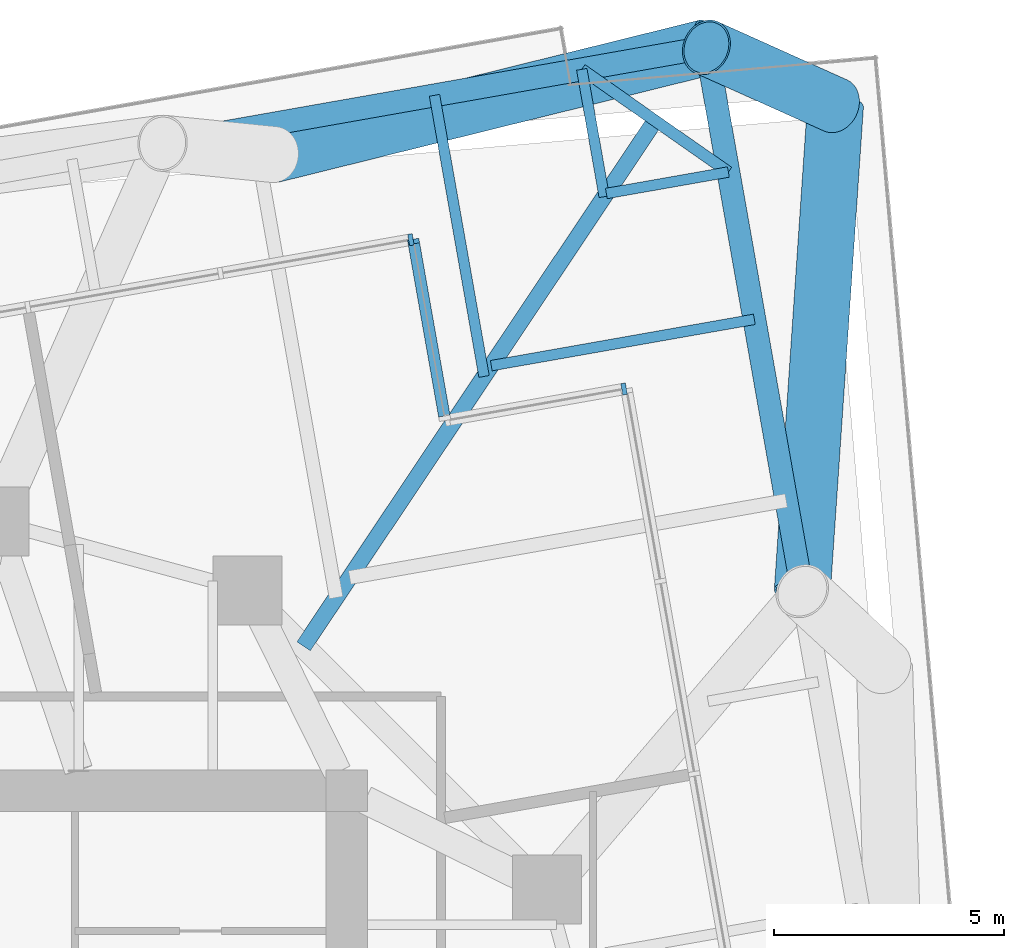
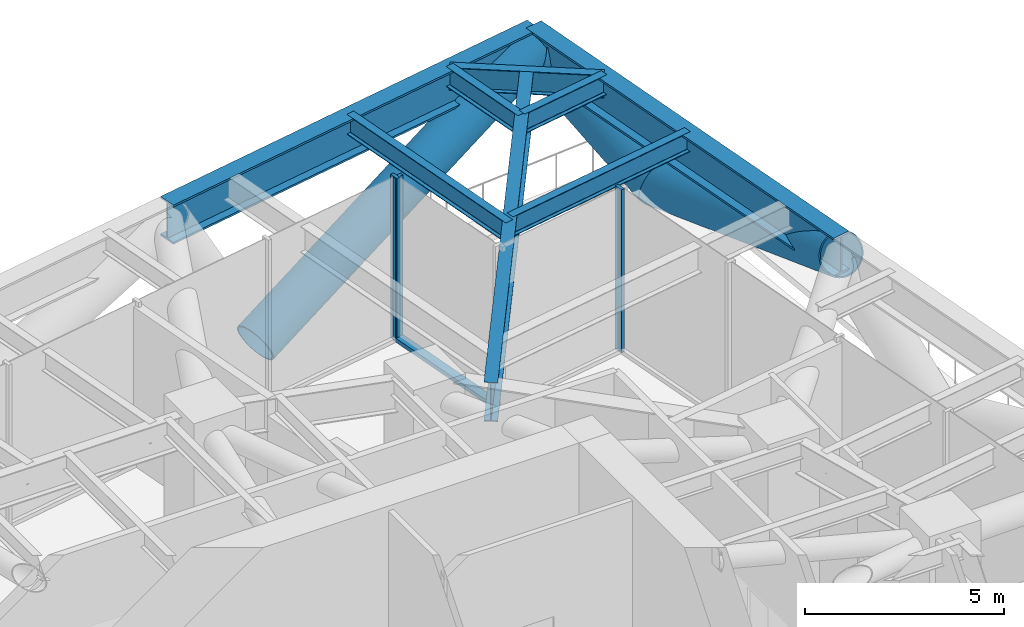
# One storey, part 7 of 15: 8 beams, 7 members, 3 elements without a shape of their own.
"""IFC4 building model written with IfcOpenShell, lengths in metres."""

import ifcopenshell
import ifcopenshell.guid

model = None  # the IFC model being written
_history = None  # IfcOwnerHistory: only IFC2X3 demands one
_inside = {}  # id of a spatial element -> (the spatial element, [elements in it])
_under = {}  # id of a project, library or spatial element -> (it, [spatial elements below it])
_declared = {}  # id of a project -> (the project, [libraries it declares])
_typed = {}  # id of a type object -> (the type object, [elements of that type])
_made_of = {}  # id of a material, layer set ... -> (it, [elements and type objects made of it])


def new_model(schema):
    """Start an empty IFC model of exactly this schema.

    Asked for "IFC4X3", IfcOpenShell would pick the latest addendum, in which some entities
    have other attributes; the version numbers below select the first issue.
    IFC2X3 requires an IfcOwnerHistory on every rooted entity: one is made here for all.
    """
    global model, _history
    if schema == "IFC4X3":
        model = ifcopenshell.file(schema_version=(4, 3, 0, 0))
    else:
        model = ifcopenshell.file(schema=schema)
    _inside.clear()
    _under.clear()
    _declared.clear()
    _typed.clear()
    _made_of.clear()
    _history = None
    if model.schema == "IFC2X3":
        org = make("IfcOrganization", Name="unknown")
        user = make(
            "IfcPersonAndOrganization",
            ThePerson=make("IfcPerson", FamilyName="unknown"),
            TheOrganization=org,
        )
        app = make(
            "IfcApplication",
            ApplicationDeveloper=org,
            Version="unknown",
            ApplicationFullName="unknown",
            ApplicationIdentifier="unknown",
        )
        _history = make(
            "IfcOwnerHistory",
            OwningUser=user,
            OwningApplication=app,
            ChangeAction="ADDED",
            CreationDate=0,
        )
    return model


def make(cls, **values):
    """One entity of the class cls with the attributes given. An attribute that is None is left unset."""
    return model.create_entity(
        cls, **{name: value for name, value in values.items() if value is not None}
    )


def rooted(cls, **values):
    """An entity with a GlobalId (a new one), such as an element, a storey or a relation."""
    return make(cls, GlobalId=ifcopenshell.guid.new(), OwnerHistory=_history, **values)


def si_unit(unit_type, name, prefix=None):
    """IfcSIUnit, for example si_unit("LENGTHUNIT", "METRE", prefix="MILLI")."""
    return make("IfcSIUnit", UnitType=unit_type, Prefix=prefix, Name=name)


def assignment(units):
    """IfcUnitAssignment: the units of a project."""
    return None if units is None else make("IfcUnitAssignment", Units=units)


def point(xyz):
    """IfcCartesianPoint."""
    return None if xyz is None else make("IfcCartesianPoint", Coordinates=xyz)


def direction(xyz):
    """IfcDirection."""
    return None if xyz is None else make("IfcDirection", DirectionRatios=xyz)


def frame(location, z_axis=None, x_axis=None):
    """IfcAxis2Placement3D, a coordinate frame: its origin and axes. An axis left out is left unset."""
    return make(
        "IfcAxis2Placement3D",
        Location=point(location),
        Axis=direction(z_axis),
        RefDirection=direction(x_axis),
    )


def frame_2d(location, x_axis=None):
    """IfcAxis2Placement2D, a coordinate frame in the plane: its origin and x axis."""
    return make(
        "IfcAxis2Placement2D", Location=point(location), RefDirection=direction(x_axis)
    )


def origin():
    """The frame at (0, 0, 0) with its axes left unset."""
    return frame((0.0, 0.0, 0.0))


def origin_2d():
    """The frame at (0, 0) in the plane with its x axis left unset."""
    return frame_2d((0.0, 0.0))


def place(relative_to, where):
    """IfcLocalPlacement: puts the frame where relative to a parent placement (None: the world)."""
    return make(
        "IfcLocalPlacement", PlacementRelTo=relative_to, RelativePlacement=where
    )


def context(
    kind, dimensions, precision=None, world=None, true_north=None, identifier=None
):
    """IfcGeometricRepresentationContext, for example the 3D "Model" context."""
    return make(
        "IfcGeometricRepresentationContext",
        ContextIdentifier=identifier,
        ContextType=kind,
        CoordinateSpaceDimension=dimensions,
        Precision=precision,
        WorldCoordinateSystem=world,
        TrueNorth=true_north,
    )


def subcontext(parent, identifier, kind, view, scale=None):
    """IfcGeometricRepresentationSubContext, for example "Body" below "Model"."""
    return make(
        "IfcGeometricRepresentationSubContext",
        ContextIdentifier=identifier,
        ContextType=kind,
        ParentContext=parent,
        TargetScale=scale,
        TargetView=view,
    )


def project(units=None, contexts=None):
    """IfcProject with its units and contexts."""
    return rooted(
        "IfcProject",
        Name="project",
        RepresentationContexts=contexts,
        UnitsInContext=assignment(units),
    )


def spatial(cls, under=None, at=None, **own):
    """A site, building, storey or space (cls), placed at a placement, below another one or the project."""
    s = rooted(cls, ObjectPlacement=at, **own)
    if under is not None:
        _under.setdefault(under.id(), (under, []))[1].append(s)
    return s


def profile(cls, at=None, kind="AREA", **sizes):
    """A parametric profile (cls). Its sizes go by their IFC names, for example OverallWidth=200.0."""
    return make(cls, ProfileType=kind, Position=at, **sizes)


def rectangle(**sizes):
    """IfcRectangleProfileDef."""
    return profile("IfcRectangleProfileDef", **sizes)


def hollow_circle(**sizes):
    """IfcCircleHollowProfileDef."""
    return profile("IfcCircleHollowProfileDef", **sizes)


def i_section(**sizes):
    """IfcIShapeProfileDef."""
    return profile("IfcIShapeProfileDef", **sizes)


def extrude(swept, where, along, depth):
    """IfcExtrudedAreaSolid: the profile swept, set in the frame where, extruded along a direction by depth."""
    return make(
        "IfcExtrudedAreaSolid",
        SweptArea=swept,
        Position=where,
        ExtrudedDirection=direction(along),
        Depth=depth,
    )


def shape(context_of_items, identifier, shape_type, items):
    """IfcShapeRepresentation: the items that make up one representation, for example the "Body"."""
    return make(
        "IfcShapeRepresentation",
        ContextOfItems=context_of_items,
        RepresentationIdentifier=identifier,
        RepresentationType=shape_type,
        Items=items,
    )


def material(Name=None, Category=None):
    """IfcMaterial."""
    return make("IfcMaterial", Name=Name, Category=Category)


def material_profile(
    of_material, cross_section, Name=None, Category=None, Priority=None
):
    """IfcMaterialProfile: a cross section and its material."""
    return make(
        "IfcMaterialProfile",
        Name=Name,
        Material=of_material,
        Profile=cross_section,
        Priority=Priority,
        Category=Category,
    )


def profile_set(profiles, Name=None, composite=None):
    """IfcMaterialProfileSet."""
    return make(
        "IfcMaterialProfileSet",
        Name=Name,
        MaterialProfiles=profiles,
        CompositeProfile=composite,
    )


def made_of(thing, what):
    """Note that an element or type object is made of a material, layer set ...; save() writes the relation."""
    if what is not None:
        _made_of.setdefault(what.id(), (what, []))[1].append(thing)
    return thing


def type_object(cls, material=None, **own):
    """A type object (cls), such as IfcWallType, which elements share."""
    return made_of(rooted(cls, **own), material)


def element(
    cls,
    number,
    at=None,
    inside=None,
    cuts=None,
    type_object=None,
    material=None,
    context=None,
    identifier="Body",
    shape_type=None,
    held_by="IfcProductDefinitionShape",
    body=None,
    shapes=None,
    **own,
):
    """One element of the class cls, such as IfcWall. Its Tag is "e" and its number.

    at: its placement. inside: the storey or other place that contains it. cuts: it is an
    opening in that element (IfcRelVoidsElement). A single representation is given by context,
    identifier, shape_type and body (its items); several are given by shapes. held_by: the class
    of the entity that holds the representations. save() writes the other relations.
    """
    e = rooted(cls, Tag="e%d" % number, ObjectPlacement=at, **own)
    if body is not None:
        shapes = [shape(context, identifier, shape_type, body)]
    if shapes is not None:
        e.Representation = make(held_by, Representations=shapes)
    if inside is not None:
        _inside.setdefault(inside.id(), (inside, []))[1].append(e)
    if cuts is not None:
        rooted(
            "IfcRelVoidsElement", RelatingBuildingElement=cuts, RelatedOpeningElement=e
        )
    if type_object is not None:
        _typed.setdefault(type_object.id(), (type_object, []))[1].append(e)
    return made_of(e, material)


def aggregate(whole, parts):
    """IfcRelAggregates: a whole, such as a stair, and the parts it consists of."""
    return rooted("IfcRelAggregates", RelatingObject=whole, RelatedObjects=parts)


def save(model, path):
    """Write the relations noted so far, then the file.

    IfcRelAggregates (storeys below a building ...), IfcRelContainedInSpatialStructure (elements
    in a storey), IfcRelDefinesByType, IfcRelAssociatesMaterial and IfcRelDeclares: one each for
    every whole, place, type object, material and project.
    """
    for whole, parts in _under.values():
        aggregate(whole, parts)
    for where, things in _inside.values():
        rooted(
            "IfcRelContainedInSpatialStructure",
            RelatedElements=things,
            RelatingStructure=where,
        )
    for kind, things in _typed.values():
        rooted("IfcRelDefinesByType", RelatedObjects=things, RelatingType=kind)
    for what, things in _made_of.values():
        rooted("IfcRelAssociatesMaterial", RelatedObjects=things, RelatingMaterial=what)
    for by, libraries in _declared.values():
        rooted("IfcRelDeclares", RelatingContext=by, RelatedDefinitions=libraries)
    model.write(path)


model = new_model("IFC4")

# Units and contexts
model_context = context("Model", 3, precision=1e-05, world=origin(), true_north=direction((0.0, 1.0)))
body_context = subcontext(model_context, "Body", "Model", "MODEL_VIEW")
ifc_project = project(units=[si_unit("LENGTHUNIT", "METRE"), si_unit("AREAUNIT", "SQUARE_METRE"), si_unit("VOLUMEUNIT", "CUBIC_METRE"), si_unit("PLANEANGLEUNIT", "RADIAN"), si_unit("MASSUNIT", "GRAM", prefix="KILO")], contexts=[model_context])

# Site, building, storey
site_placement = place(None, origin())
site = spatial("IfcSite", under=ifc_project, at=site_placement, CompositionType="ELEMENT")
building_placement = place(site_placement, origin())
building = spatial("IfcBuilding", under=site, at=building_placement, Name="Torsade Residences", CompositionType="ELEMENT")
storey_placement = place(building_placement, frame((0.0, 0.0, 74.39990234375)))
storey = spatial("IfcBuildingStorey", under=building, at=storey_placement, Name="L20", CompositionType="ELEMENT", Elevation=74.39990234375)

# Beams
ifc_material_1 = material(Name="Steel grade 300", Category="steel")
ifc_material_profile_1 = material_profile(ifc_material_1, i_section(OverallWidth=0.35009765625, OverallDepth=1.199951171875, WebThickness=0.01611328125, FlangeThickness=0.028076171875, at=origin_2d()), Name="1200WB278")
ifc_profile_set_1 = profile_set([ifc_material_profile_1], Name="Steel grade 300")
beam_type_1 = type_object("IfcBeamType", Name="CORNER GIRDER 1200WB278", PredefinedType="BEAM", material=ifc_profile_set_1)
beam_1_placement = place(storey_placement, frame((58.3525390625, 56.2099609375, 4.25), z_axis=(-0.555847594236, -0.831284218533, 0.0), x_axis=(0.831284218533, -0.555847594236, 0.0)))
element("IfcBeam", 1, at=beam_1_placement, inside=storey, type_object=beam_type_1, Name="Corner girder 09 L21", PredefinedType="BEAM", context=body_context, shape_type="SweptSolid", body=[
    extrude(i_section(OverallWidth=0.35009765625, OverallDepth=1.199951171875, WebThickness=0.01611328125, FlangeThickness=0.028076171875, at=origin_2d()), origin(), (0.0, 0.0, 1.0), 13.742431640625),
])
ifc_material_2 = material(Name="Steel grade 300", Category="steel")
ifc_material_profile_2 = material_profile(ifc_material_2, i_section(OverallWidth=0.25, OverallDepth=0.699951171875, WebThickness=0.010009765625, FlangeThickness=0.02001953125, at=origin_2d()), Name="700WB130")
ifc_profile_set_2 = profile_set([ifc_material_profile_2], Name="Steel grade 300")
beam_type_2 = type_object("IfcBeamType", Name="CORNER TRIMMER 700WB130", PredefinedType="BEAM", material=ifc_profile_set_2)
beam_2_placement = place(storey_placement, frame((56.759521484375, 57.325439453125, 4.5), z_axis=(0.819152285145, -0.573576092373, 0.0), x_axis=(0.573576092373, 0.819152285145, 0.0)))
element("IfcBeam", 2, at=beam_2_placement, inside=storey, type_object=beam_type_2, Name="Corner trimmer 09 L21", PredefinedType="BEAM", context=body_context, shape_type="SweptSolid", body=[
    extrude(i_section(OverallWidth=0.25, OverallDepth=0.699951171875, WebThickness=0.010009765625, FlangeThickness=0.02001953125, at=origin_2d()), origin(), (0.0, 0.0, 1.0), 3.88916015625),
])
ifc_material_3 = material(Name="Steel grade 300", Category="steel")
ifc_material_profile_3 = material_profile(ifc_material_3, i_section(OverallWidth=0.22900390625, OverallDepth=0.612060546875, WebThickness=0.011962890625, FlangeThickness=0.01953125, FilletRadius=0.013916015625, at=origin_2d()), Name="610UB125")
ifc_profile_set_3 = profile_set([ifc_material_profile_3], Name="Steel grade 300")
beam_type_3 = type_object("IfcBeamType", Name="SECONDARY BEAM 610UB125", PredefinedType="JOIST", material=ifc_profile_set_3)
beam_3_placement = place(storey_placement, frame((60.509765625, 51.89404296875, 4.544189453125), z_axis=(-0.984808104745, -0.17364618288, 0.0), x_axis=(0.17364618288, -0.984808104745, 0.0)))
element("IfcBeam", 3, at=beam_3_placement, inside=storey, type_object=beam_type_3, Name="Floor beam FE11 L21", PredefinedType="JOIST", context=body_context, shape_type="SweptSolid", body=[
    extrude(i_section(OverallWidth=0.22900390625, OverallDepth=0.612060546875, WebThickness=0.011962890625, FlangeThickness=0.01953125, FilletRadius=0.013916015625, at=origin_2d()), origin(), (0.0, 0.0, 1.0), 5.80517578125),
])
beam_4_placement = place(storey_placement, frame((59.9453125, 55.0947265625, 4.544189453125), z_axis=(-0.984803637964, -0.173671513648, 0.0), x_axis=(0.173671513648, -0.984803637964, 0.0)))
element("IfcBeam", 4, at=beam_4_placement, inside=storey, type_object=beam_type_3, Name="Floor beam FE12 L21", PredefinedType="JOIST", context=body_context, shape_type="SweptSolid", body=[
    extrude(i_section(OverallWidth=0.22900390625, OverallDepth=0.612060546875, WebThickness=0.011962890625, FlangeThickness=0.01953125, FilletRadius=0.013916015625, at=origin_2d()), origin(), (0.0, 0.0, 1.0), 2.692138671875),
])
beam_5_placement = place(storey_placement, frame((56.759521484375, 57.325439453125, 4.544189453125), z_axis=(0.173646578627, -0.984808034965, 0.0), x_axis=(0.984808034965, 0.173646578627, 0.0)))
element("IfcBeam", 5, at=beam_5_placement, inside=storey, type_object=beam_type_3, Name="Floor beam FN01 L21", PredefinedType="JOIST", context=body_context, shape_type="SweptSolid", body=[
    extrude(i_section(OverallWidth=0.22900390625, OverallDepth=0.612060546875, WebThickness=0.011962890625, FlangeThickness=0.01953125, FilletRadius=0.013916015625, at=origin_2d()), origin(), (0.0, 0.0, 1.0), 2.810546875),
])
beam_6_placement = place(storey_placement, frame((53.55908203125, 56.760986328125, 4.544189453125), z_axis=(0.173646127458, -0.984808114517, 0.0), x_axis=(0.984808114517, 0.173646127458, 0.0)))
element("IfcBeam", 6, at=beam_6_placement, inside=storey, type_object=beam_type_3, Name="Floor beam FN02 L21", PredefinedType="JOIST", context=body_context, shape_type="SweptSolid", body=[
    extrude(i_section(OverallWidth=0.22900390625, OverallDepth=0.612060546875, WebThickness=0.011962890625, FlangeThickness=0.01953125, FilletRadius=0.013916015625, at=origin_2d()), origin(), (0.0, 0.0, 1.0), 6.203125),
])

# Curtain wall, member
ifc_material_4 = material(Name="Aluminium and glass", Category="aluminium")
curtain_wall_type = type_object("IfcCurtainWallType", Name="TRANSFER LEVEL CURTAIN WALL LOW ZONE", PredefinedType="NOTDEFINED", material=ifc_material_4)
curtain_wall_1_placement = place(storey_placement, origin())
curtain_wall_1 = element("IfcCurtainWall", 7, at=curtain_wall_1_placement, inside=storey, type_object=curtain_wall_type, Name="Curtain wall L20 face 5", PredefinedType="NOTDEFINED")
ifc_material_5 = material(Name="Aluminium mullion", Category="aluminium")
ifc_material_profile_4 = material_profile(ifc_material_5, rectangle(XDim=0.25, YDim=0.10009765625, at=origin_2d()), Name="TRANSFER LEVEL CURTAIN WALL MULLION 250x100")
ifc_profile_set_4 = profile_set([ifc_material_profile_4], Name="Aluminium mullion")
member_type_1 = type_object("IfcMemberType", Name="TRANSFER LEVEL CURTAIN WALL MULLION 250x100", PredefinedType="MULLION", material=ifc_profile_set_4)
member_1_placement = place(storey_placement, frame((57.6796875, 50.379638671875, 0.0), z_axis=(0.0, 0.0, 1.0), x_axis=(0.173648248327, -0.984807740553, 0.0)))
member_1 = element("IfcMember", 8, at=member_1_placement, type_object=member_type_1, Name="Mullion 1", PredefinedType="MULLION", context=body_context, shape_type="SweptSolid", body=[
    extrude(rectangle(XDim=0.25, YDim=0.10009765625, at=origin_2d()), origin(), (0.0, 0.0, 1.0), 5.0),
])
aggregate(curtain_wall_1, [member_1])

curtain_wall_2_placement = place(storey_placement, origin())
curtain_wall_2 = element("IfcCurtainWall", 9, at=curtain_wall_2_placement, inside=storey, type_object=curtain_wall_type, Name="Curtain wall L20 face 6", PredefinedType="NOTDEFINED")
member_2_placement = place(storey_placement, frame((53.103759765625, 53.583740234375, 0.0), z_axis=(0.0, 0.0, 1.0), x_axis=(-0.984807740553, -0.173648248327, 0.0)))
member_2 = element("IfcMember", 10, at=member_2_placement, type_object=member_type_1, Name="Mullion 2", PredefinedType="MULLION", context=body_context, shape_type="SweptSolid", body=[
    extrude(rectangle(XDim=0.25, YDim=0.10009765625, at=origin_2d()), origin(), (0.0, 0.0, 1.0), 5.0),
])

curtain_wall_3_placement = place(storey_placement, origin())
curtain_wall_3 = element("IfcCurtainWall", 11, at=curtain_wall_3_placement, inside=storey, type_object=curtain_wall_type, Name="Curtain wall L20 face 7", PredefinedType="NOTDEFINED")
member_3_placement = place(storey_placement, frame((53.0458984375, 53.624267578125, 0.0), z_axis=(0.0, 0.0, 1.0), x_axis=(0.173648174504, -0.98480775357, 0.0)))
member_3 = element("IfcMember", 12, at=member_3_placement, type_object=member_type_1, Name="Mullion 1", PredefinedType="MULLION", context=body_context, shape_type="SweptSolid", body=[
    extrude(rectangle(XDim=0.25, YDim=0.10009765625, at=origin_2d()), origin(), (0.0, 0.0, 1.0), 5.0),
])
aggregate(curtain_wall_3, [member_3])

# Member
ifc_material_6 = material(Name="Aluminium transom", Category="aluminium")
ifc_material_profile_5 = material_profile(ifc_material_6, rectangle(XDim=0.25, YDim=0.1201171875, at=origin_2d()), Name="TRANSFER LEVEL CURTAIN WALL TRANSOM 250x120")
ifc_profile_set_5 = profile_set([ifc_material_profile_5], Name="Aluminium transom")
member_type_2 = type_object("IfcMemberType", Name="TRANSFER LEVEL CURTAIN WALL TRANSOM 250x120", PredefinedType="USERDEFINED", material=ifc_profile_set_5)
member_4_placement = place(storey_placement, frame((53.7724609375, 49.792236328125, 0.06005859375), z_axis=(-0.173664381086, 0.984804895775, 0.0), x_axis=(-0.984804895775, -0.173664381086, 0.0)))
member_4 = element("IfcMember", 13, at=member_4_placement, type_object=member_type_2, Name="Transom 1.1", ObjectType="TRANSOM", PredefinedType="USERDEFINED", context=body_context, shape_type="SweptSolid", body=[
    extrude(rectangle(XDim=0.25, YDim=0.1201171875, at=origin_2d()), origin(), (0.0, 0.0, 1.0), 3.800048828125),
])

aggregate(curtain_wall_2, [member_2, member_4])

# Beams
ifc_material_7 = material(Name="Steel grade 350", Category="steel")
ifc_material_profile_6 = material_profile(ifc_material_7, i_section(OverallWidth=0.5, OverallDepth=1.199951171875, WebThickness=0.035888671875, FlangeThickness=0.06005859375, at=origin_2d()), Name="1200x500x60x36WPG")
ifc_profile_set_6 = profile_set([ifc_material_profile_6], Name="Steel grade 350")
beam_type_4 = type_object("IfcBeamType", Name="TRANSFER TRUSS CHORD 1200x500x60x36WPG", PredefinedType="USERDEFINED", material=ifc_profile_set_6)
for number, where, z_axis, x_axis, name in (
    (14, (61.551513671875, 45.9853515625, 4.25), (-0.173646056486, 0.984808127031, 0.0), (-0.984808127031, -0.173646056486, 0.0), "Transfer truss TT2 top chord 08"),
    (15, (59.4677734375, 57.802978515625, 4.25), (-0.984808127031, -0.173646056486, 0.0), (0.173646056486, -0.984808127031, 0.0), "Transfer truss TT2 top chord 09"),
):
    element("IfcBeam", number, at=place(storey_placement, frame(where, z_axis=z_axis, x_axis=x_axis)), inside=storey, type_object=beam_type_4, Name=name, ObjectType="TRANSFER TRUSS CHORD", PredefinedType="USERDEFINED", context=body_context, shape_type="SweptSolid", body=[
        extrude(i_section(OverallWidth=0.5, OverallDepth=1.199951171875, WebThickness=0.035888671875, FlangeThickness=0.06005859375, at=origin_2d()), origin(), (0.0, 0.0, 1.0), 12.0),
    ])

# Members
ifc_material_8 = material(Name="Steel grade 450", Category="steel")
ifc_material_profile_7 = material_profile(ifc_material_8, hollow_circle(Radius=0.609619140625, WallThickness=0.0400390625, at=origin_2d()), Name="1219.0x40.0CHS")
ifc_profile_set_7 = profile_set([ifc_material_profile_7], Name="Steel grade 450")
member_type_3 = type_object("IfcMemberType", Name="TRANSFER TRUSS DIAGONAL 1219.0x40.0CHS", PredefinedType="BRACE", material=ifc_profile_set_7)
member_5_placement = place(storey_placement, frame((62.271484375, 56.5419921875, -0.199951171875), z_axis=(-0.062721718371, -0.919663310403, 0.387666585539), x_axis=(0.997682411323, -0.068042678793, 0.0)))
element("IfcMember", 16, at=member_5_placement, inside=storey, type_object=member_type_3, Name="Transfer truss TT2 diagonal 08", PredefinedType="BRACE", context=body_context, shape_type="SweptSolid", body=[
    extrude(hollow_circle(Radius=0.609619140625, WallThickness=0.0400390625, at=origin_2d()), origin(), (0.0, 0.0, 1.0), 11.478759765625),
])
member_6_placement = place(storey_placement, frame((50.068115234375, 55.474365234375, -0.199951171875), z_axis=(0.881992315258, 0.218499329964, 0.417549516382), x_axis=(-0.240464785266, 0.970657863022, 0.0)))
element("IfcMember", 17, at=member_6_placement, inside=storey, type_object=member_type_3, Name="Transfer truss TT2 diagonal 09", PredefinedType="BRACE", context=body_context, shape_type="SweptSolid", body=[
    extrude(hollow_circle(Radius=0.609619140625, WallThickness=0.0400390625, at=origin_2d()), origin(), (0.0, 0.0, 1.0), 10.6572265625),
])
ifc_material_9 = material(Name="Steel grade 450", Category="steel")
ifc_material_profile_8 = material_profile(ifc_material_9, hollow_circle(Radius=0.609619140625, WallThickness=0.0400390625, at=origin_2d()), Name="1219.0x40.0CHS")
ifc_profile_set_8 = profile_set([ifc_material_profile_8], Name="Steel grade 450")
member_type_4 = type_object("IfcMemberType", Name="TRANSFER TRUSS RAKING STRUT 1219.0x40.0CHS", PredefinedType="STRUT", material=ifc_profile_set_8)
member_7_placement = place(storey_placement, frame((62.271484375, 56.5419921875, -0.199951171875), z_axis=(-0.518380222671, 0.23314471004, 0.822754817017), x_axis=(-0.410179751892, -0.912004699077, 0.0)))
element("IfcMember", 18, at=member_7_placement, inside=storey, type_object=member_type_4, Name="Transfer truss TT2 raking strut 09", PredefinedType="STRUT", context=body_context, shape_type="SweptSolid", body=[
    extrude(hollow_circle(Radius=0.609619140625, WallThickness=0.0400390625, at=origin_2d()), origin(), (0.0, 0.0, 1.0), 5.40869140625),
])

save(model, "model.ifc")
